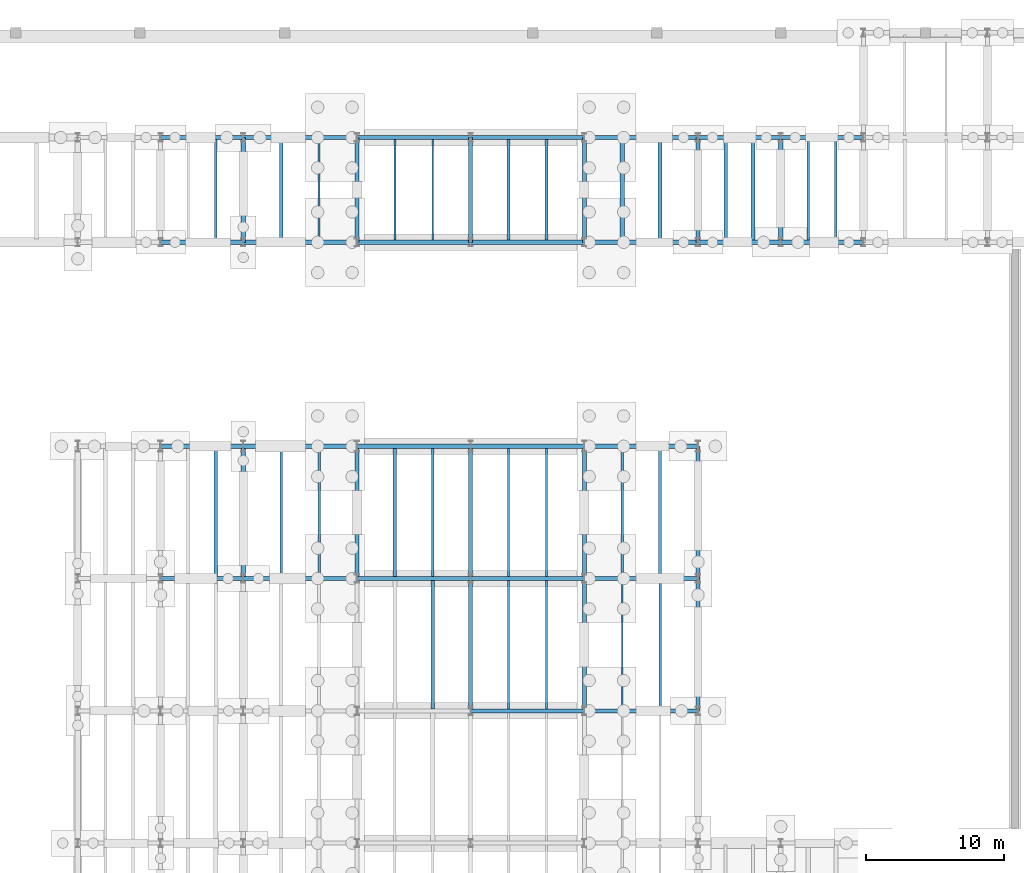
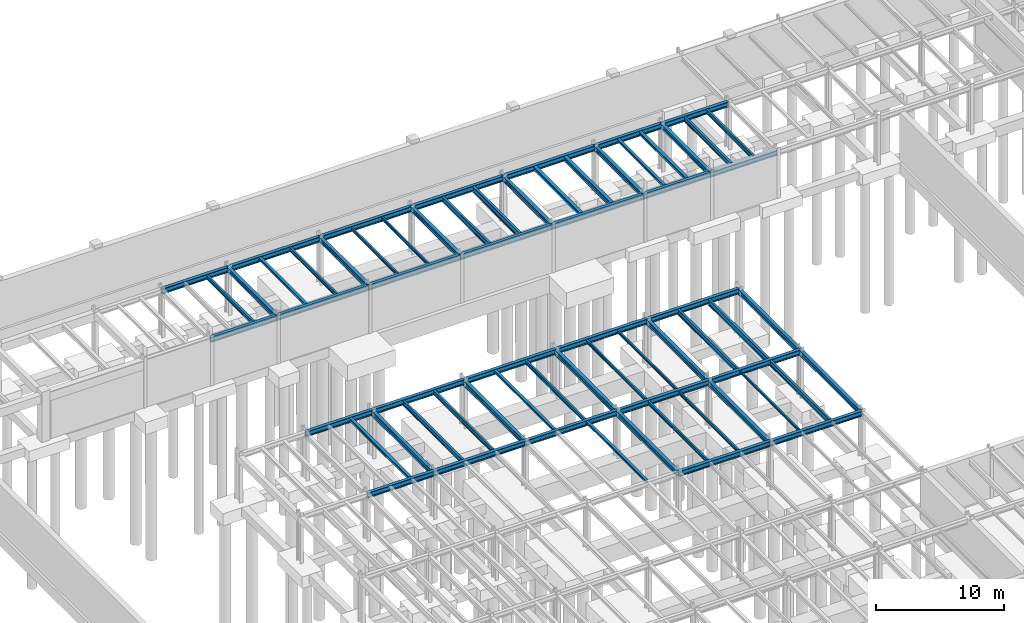
# One storey, part 34 of 59: 67 beams.
"""IFC4 building model written with IfcOpenShell, lengths in metres."""

from ifc_helpers import new_model, si_unit, direction, frame, origin, origin_2d, place, context, subcontext, project, spatial, i_section, extrude, material, material_profile, profile_set, type_object, element, save


model = new_model("IFC4")

# Units and contexts
model_context = context("Model", 3, precision=1e-05, world=origin(), true_north=direction((0.0, 1.0)))
body_context = subcontext(model_context, "Body", "Model", "MODEL_VIEW")
ifc_project = project(units=[si_unit("LENGTHUNIT", "METRE"), si_unit("AREAUNIT", "SQUARE_METRE"), si_unit("VOLUMEUNIT", "CUBIC_METRE"), si_unit("PLANEANGLEUNIT", "RADIAN"), si_unit("MASSUNIT", "GRAM", prefix="KILO")], contexts=[model_context])

# Site, building, storey
site_placement = place(None, origin())
site = spatial("IfcSite", under=ifc_project, at=site_placement, CompositionType="ELEMENT")
building_placement = place(site_placement, origin())
building = spatial("IfcBuilding", under=site, at=building_placement, Name="Montealbar Specialist Clinic", CompositionType="ELEMENT")
storey_placement = place(building_placement, frame((0.0, 0.0, -4.800048828125)))
storey = spatial("IfcBuildingStorey", under=building, at=storey_placement, Name="B01", CompositionType="ELEMENT", Elevation=-4.800048828125)

# Beams
ifc_material = material(Name="Steel S355", Category="steel")
ifc_material_profile_1 = material_profile(ifc_material, i_section(OverallWidth=0.300048828125, OverallDepth=0.449951171875, WebThickness=0.013916015625, FlangeThickness=0.02587890625, FilletRadius=0.027099609375, at=origin_2d()), Name="HEB 450", Category="steel")
ifc_profile_set_1 = profile_set([ifc_material_profile_1], Name="Steel S355")
beam_type_1 = type_object("IfcBeamType", Name="BM-GIRD-HEB450-EXT", PredefinedType="BEAM", material=ifc_profile_set_1)
for number, where, z_axis, x_axis, name in (
    (1, (66.0, 95.800048828125, 4.275146484375), (0.0, 1.0, 0.0), (-1.0, 0.0, 0.0), "Beam GY-B01-660-958-1034"),
    (2, (74.25, 95.800048828125, 4.275146484375), (0.0, 1.0, 0.0), (-1.0, 0.0, 0.0), "Beam GY-B01-742-958-1034"),
    (3, (82.5, 95.800048828125, 4.275146484375), (0.0, 1.0, 0.0), (-1.0, 0.0, 0.0), "Beam GY-B01-825-958-1034"),
    (4, (90.75, 95.800048828125, 4.275146484375), (0.0, 1.0, 0.0), (-1.0, 0.0, 0.0), "Beam GY-B01-908-958-1034"),
    (5, (99.0, 95.800048828125, 4.275146484375), (0.0, 1.0, 0.0), (-1.0, 0.0, 0.0), "Beam GY-B01-990-958-1034"),
    (6, (105.0, 95.800048828125, 4.275146484375), (0.0, 1.0, 0.0), (-1.0, 0.0, 0.0), "Beam GY-B01-1050-958-1034"),
):
    element("IfcBeam", number, at=place(storey_placement, frame(where, z_axis=z_axis, x_axis=x_axis)), inside=storey, type_object=beam_type_1, Name=name, PredefinedType="BEAM", context=body_context, shape_type="SweptSolid", body=[
        extrude(i_section(OverallWidth=0.300048828125, OverallDepth=0.449951171875, WebThickness=0.013916015625, FlangeThickness=0.02587890625, FilletRadius=0.027099609375, at=origin_2d()), origin(), (0.0, 0.0, 1.0), 7.599853515625),
    ])
ifc_material_profile_2 = material_profile(ifc_material, i_section(OverallWidth=0.300048828125, OverallDepth=0.5, WebThickness=0.014404296875, FlangeThickness=0.028076171875, FilletRadius=0.027099609375, at=origin_2d()), Name="HEB 500", Category="steel")
ifc_profile_set_2 = profile_set([ifc_material_profile_2], Name="Steel S355")
beam_type_2 = type_object("IfcBeamType", Name="BM-GIRD-HEB500", PredefinedType="BEAM", material=ifc_profile_set_2)
for number, where, z_axis, x_axis, name in (
    (7, (82.5, 61.800048828125, 4.22998046875), (1.0, 0.0, 0.0), (0.0, 1.0, 0.0), "Beam GX-B01-825-908-618"),
    (8, (90.75, 61.800048828125, 4.22998046875), (1.0, 0.0, 0.0), (0.0, 1.0, 0.0), "Beam GX-B01-908-990-618"),
):
    element("IfcBeam", number, at=place(storey_placement, frame(where, z_axis=z_axis, x_axis=x_axis)), inside=storey, type_object=beam_type_2, Name=name, PredefinedType="BEAM", context=body_context, shape_type="SweptSolid", body=[
        extrude(i_section(OverallWidth=0.300048828125, OverallDepth=0.5, WebThickness=0.014404296875, FlangeThickness=0.028076171875, FilletRadius=0.027099609375, at=origin_2d()), origin(), (0.0, 0.0, 1.0), 8.25),
    ])
beam_1_placement = place(storey_placement, frame((60.0, 71.39990234375, 4.22998046875), z_axis=(1.0, 0.0, 0.0), x_axis=(0.0, 1.0, 0.0)))
element("IfcBeam", 9, at=beam_1_placement, inside=storey, type_object=beam_type_2, Name="Beam GX-B01-600-660-714", PredefinedType="BEAM", context=body_context, shape_type="SweptSolid", body=[
    extrude(i_section(OverallWidth=0.300048828125, OverallDepth=0.5, WebThickness=0.014404296875, FlangeThickness=0.028076171875, FilletRadius=0.027099609375, at=origin_2d()), origin(), (0.0, 0.0, 1.0), 6.0),
])
for number, where, z_axis, x_axis, name in (
    (10, (66.0, 71.39990234375, 4.22998046875), (1.0, 0.0, 0.0), (0.0, 1.0, 0.0), "Beam GX-B01-660-742-714"),
    (11, (74.25, 71.39990234375, 4.22998046875), (1.0, 0.0, 0.0), (0.0, 1.0, 0.0), "Beam GX-B01-742-825-714"),
    (12, (82.5, 71.39990234375, 4.22998046875), (1.0, 0.0, 0.0), (0.0, 1.0, 0.0), "Beam GX-B01-825-908-714"),
    (13, (90.75, 71.39990234375, 4.22998046875), (1.0, 0.0, 0.0), (0.0, 1.0, 0.0), "Beam GX-B01-908-990-714"),
):
    element("IfcBeam", number, at=place(storey_placement, frame(where, z_axis=z_axis, x_axis=x_axis)), inside=storey, type_object=beam_type_2, Name=name, PredefinedType="BEAM", context=body_context, shape_type="SweptSolid", body=[
        extrude(i_section(OverallWidth=0.300048828125, OverallDepth=0.5, WebThickness=0.014404296875, FlangeThickness=0.028076171875, FilletRadius=0.027099609375, at=origin_2d()), origin(), (0.0, 0.0, 1.0), 8.25),
    ])
for number, where, z_axis, x_axis, name in (
    (14, (66.0, 71.39990234375, 4.22998046875), (0.0, 1.0, 0.0), (-1.0, 0.0, 0.0), "Beam GY-B01-660-714-810"),
    (15, (74.25, 71.39990234375, 4.22998046875), (0.0, 1.0, 0.0), (-1.0, 0.0, 0.0), "Beam GY-B01-742-714-810"),
):
    element("IfcBeam", number, at=place(storey_placement, frame(where, z_axis=z_axis, x_axis=x_axis)), inside=storey, type_object=beam_type_2, Name=name, PredefinedType="BEAM", context=body_context, shape_type="SweptSolid", body=[
        extrude(i_section(OverallWidth=0.300048828125, OverallDepth=0.5, WebThickness=0.014404296875, FlangeThickness=0.028076171875, FilletRadius=0.027099609375, at=origin_2d()), origin(), (0.0, 0.0, 1.0), 9.60009765625),
    ])
beam_2_placement = place(storey_placement, frame((82.5, 61.800048828125, 4.22998046875), z_axis=(0.0, 1.0, 0.0), x_axis=(-1.0, 0.0, 0.0)))
element("IfcBeam", 16, at=beam_2_placement, inside=storey, type_object=beam_type_2, Name="Beam GY-B01-825-618-714", PredefinedType="BEAM", context=body_context, shape_type="SweptSolid", body=[
    extrude(i_section(OverallWidth=0.300048828125, OverallDepth=0.5, WebThickness=0.014404296875, FlangeThickness=0.028076171875, FilletRadius=0.027099609375, at=origin_2d()), origin(), (0.0, 0.0, 1.0), 9.599853515625),
])
beam_3_placement = place(storey_placement, frame((82.5, 71.39990234375, 4.22998046875), z_axis=(0.0, 1.0, 0.0), x_axis=(-1.0, 0.0, 0.0)))
element("IfcBeam", 17, at=beam_3_placement, inside=storey, type_object=beam_type_2, Name="Beam GY-B01-825-714-810", PredefinedType="BEAM", context=body_context, shape_type="SweptSolid", body=[
    extrude(i_section(OverallWidth=0.300048828125, OverallDepth=0.5, WebThickness=0.014404296875, FlangeThickness=0.028076171875, FilletRadius=0.027099609375, at=origin_2d()), origin(), (0.0, 0.0, 1.0), 9.60009765625),
])
beam_4_placement = place(storey_placement, frame((90.75, 61.800048828125, 4.22998046875), z_axis=(0.0, 1.0, 0.0), x_axis=(-1.0, 0.0, 0.0)))
element("IfcBeam", 18, at=beam_4_placement, inside=storey, type_object=beam_type_2, Name="Beam GY-B01-908-618-714", PredefinedType="BEAM", context=body_context, shape_type="SweptSolid", body=[
    extrude(i_section(OverallWidth=0.300048828125, OverallDepth=0.5, WebThickness=0.014404296875, FlangeThickness=0.028076171875, FilletRadius=0.027099609375, at=origin_2d()), origin(), (0.0, 0.0, 1.0), 9.599853515625),
])
beam_5_placement = place(storey_placement, frame((90.75, 71.39990234375, 4.22998046875), z_axis=(0.0, 1.0, 0.0), x_axis=(-1.0, 0.0, 0.0)))
element("IfcBeam", 19, at=beam_5_placement, inside=storey, type_object=beam_type_2, Name="Beam GY-B01-908-714-810", PredefinedType="BEAM", context=body_context, shape_type="SweptSolid", body=[
    extrude(i_section(OverallWidth=0.300048828125, OverallDepth=0.5, WebThickness=0.014404296875, FlangeThickness=0.028076171875, FilletRadius=0.027099609375, at=origin_2d()), origin(), (0.0, 0.0, 1.0), 9.60009765625),
])
ifc_material_profile_3 = material_profile(ifc_material, i_section(OverallWidth=0.300048828125, OverallDepth=0.5, WebThickness=0.014404296875, FlangeThickness=0.028076171875, FilletRadius=0.027099609375, at=origin_2d()), Name="HEB 500", Category="steel")
ifc_profile_set_3 = profile_set([ifc_material_profile_3], Name="Steel S355")
beam_type_3 = type_object("IfcBeamType", Name="BM-GIRD-HEB500-EXT", PredefinedType="BEAM", material=ifc_profile_set_3)
beam_6_placement = place(storey_placement, frame((60.0, 81.0, 4.22998046875), z_axis=(1.0, 0.0, 0.0), x_axis=(0.0, 1.0, 0.0)))
element("IfcBeam", 20, at=beam_6_placement, inside=storey, type_object=beam_type_3, Name="Beam GX-B01-600-660-810", PredefinedType="BEAM", context=body_context, shape_type="SweptSolid", body=[
    extrude(i_section(OverallWidth=0.300048828125, OverallDepth=0.5, WebThickness=0.014404296875, FlangeThickness=0.028076171875, FilletRadius=0.027099609375, at=origin_2d()), origin(), (0.0, 0.0, 1.0), 6.0),
])
for number, where, z_axis, x_axis, name in (
    (21, (66.0, 81.0, 4.22998046875), (1.0, 0.0, 0.0), (0.0, 1.0, 0.0), "Beam GX-B01-660-742-810"),
    (22, (74.25, 81.0, 4.22998046875), (1.0, 0.0, 0.0), (0.0, 1.0, 0.0), "Beam GX-B01-742-825-810"),
    (23, (82.5, 81.0, 4.22998046875), (1.0, 0.0, 0.0), (0.0, 1.0, 0.0), "Beam GX-B01-825-908-810"),
    (24, (90.75, 81.0, 4.22998046875), (1.0, 0.0, 0.0), (0.0, 1.0, 0.0), "Beam GX-B01-908-990-810"),
):
    element("IfcBeam", number, at=place(storey_placement, frame(where, z_axis=z_axis, x_axis=x_axis)), inside=storey, type_object=beam_type_3, Name=name, PredefinedType="BEAM", context=body_context, shape_type="SweptSolid", body=[
        extrude(i_section(OverallWidth=0.300048828125, OverallDepth=0.5, WebThickness=0.014404296875, FlangeThickness=0.028076171875, FilletRadius=0.027099609375, at=origin_2d()), origin(), (0.0, 0.0, 1.0), 8.25),
    ])
beam_7_placement = place(storey_placement, frame((60.0, 95.800048828125, 4.25), z_axis=(1.0, 0.0, 0.0), x_axis=(0.0, 1.0, 0.0)))
element("IfcBeam", 25, at=beam_7_placement, inside=storey, type_object=beam_type_3, Name="Beam GX-B01-600-660-958", PredefinedType="BEAM", context=body_context, shape_type="SweptSolid", body=[
    extrude(i_section(OverallWidth=0.300048828125, OverallDepth=0.5, WebThickness=0.014404296875, FlangeThickness=0.028076171875, FilletRadius=0.027099609375, at=origin_2d()), origin(), (0.0, 0.0, 1.0), 6.0),
])
for number, where, z_axis, x_axis, name in (
    (26, (66.0, 95.800048828125, 4.25), (1.0, 0.0, 0.0), (0.0, 1.0, 0.0), "Beam GX-B01-660-742-958"),
    (27, (74.25, 95.800048828125, 4.25), (1.0, 0.0, 0.0), (0.0, 1.0, 0.0), "Beam GX-B01-742-825-958"),
    (28, (82.5, 95.800048828125, 4.25), (1.0, 0.0, 0.0), (0.0, 1.0, 0.0), "Beam GX-B01-825-908-958"),
    (29, (90.75, 95.800048828125, 4.25), (1.0, 0.0, 0.0), (0.0, 1.0, 0.0), "Beam GX-B01-908-990-958"),
):
    element("IfcBeam", number, at=place(storey_placement, frame(where, z_axis=z_axis, x_axis=x_axis)), inside=storey, type_object=beam_type_3, Name=name, PredefinedType="BEAM", context=body_context, shape_type="SweptSolid", body=[
        extrude(i_section(OverallWidth=0.300048828125, OverallDepth=0.5, WebThickness=0.014404296875, FlangeThickness=0.028076171875, FilletRadius=0.027099609375, at=origin_2d()), origin(), (0.0, 0.0, 1.0), 8.25),
    ])
for number, where, z_axis, x_axis, name in (
    (30, (99.0, 95.800048828125, 4.25), (1.0, 0.0, 0.0), (0.0, 1.0, 0.0), "Beam GX-B01-990-1050-958"),
    (31, (105.0, 95.800048828125, 4.22998046875), (1.0, 0.0, 0.0), (0.0, 1.0, 0.0), "Beam GX-B01-1050-1110-958"),
    (32, (60.0, 103.39990234375, 4.25), (1.0, 0.0, 0.0), (0.0, 1.0, 0.0), "Beam GX-B01-600-660-1034"),
):
    element("IfcBeam", number, at=place(storey_placement, frame(where, z_axis=z_axis, x_axis=x_axis)), inside=storey, type_object=beam_type_3, Name=name, PredefinedType="BEAM", context=body_context, shape_type="SweptSolid", body=[
        extrude(i_section(OverallWidth=0.300048828125, OverallDepth=0.5, WebThickness=0.014404296875, FlangeThickness=0.028076171875, FilletRadius=0.027099609375, at=origin_2d()), origin(), (0.0, 0.0, 1.0), 6.0),
    ])
for number, where, z_axis, x_axis, name in (
    (33, (66.0, 103.39990234375, 4.25), (1.0, 0.0, 0.0), (0.0, 1.0, 0.0), "Beam GX-B01-660-742-1034"),
    (34, (74.25, 103.39990234375, 4.25), (1.0, 0.0, 0.0), (0.0, 1.0, 0.0), "Beam GX-B01-742-825-1034"),
    (35, (82.5, 103.39990234375, 4.25), (1.0, 0.0, 0.0), (0.0, 1.0, 0.0), "Beam GX-B01-825-908-1034"),
    (36, (90.75, 103.39990234375, 4.25), (1.0, 0.0, 0.0), (0.0, 1.0, 0.0), "Beam GX-B01-908-990-1034"),
):
    element("IfcBeam", number, at=place(storey_placement, frame(where, z_axis=z_axis, x_axis=x_axis)), inside=storey, type_object=beam_type_3, Name=name, PredefinedType="BEAM", context=body_context, shape_type="SweptSolid", body=[
        extrude(i_section(OverallWidth=0.300048828125, OverallDepth=0.5, WebThickness=0.014404296875, FlangeThickness=0.028076171875, FilletRadius=0.027099609375, at=origin_2d()), origin(), (0.0, 0.0, 1.0), 8.25),
    ])
for number, where, z_axis, x_axis, name in (
    (37, (99.0, 103.39990234375, 4.25), (1.0, 0.0, 0.0), (0.0, 1.0, 0.0), "Beam GX-B01-990-1050-1034"),
    (38, (105.0, 103.39990234375, 4.22998046875), (1.0, 0.0, 0.0), (0.0, 1.0, 0.0), "Beam GX-B01-1050-1110-1034"),
):
    element("IfcBeam", number, at=place(storey_placement, frame(where, z_axis=z_axis, x_axis=x_axis)), inside=storey, type_object=beam_type_3, Name=name, PredefinedType="BEAM", context=body_context, shape_type="SweptSolid", body=[
        extrude(i_section(OverallWidth=0.300048828125, OverallDepth=0.5, WebThickness=0.014404296875, FlangeThickness=0.028076171875, FilletRadius=0.027099609375, at=origin_2d()), origin(), (0.0, 0.0, 1.0), 6.0),
    ])
beam_8_placement = place(storey_placement, frame((99.0, 61.800048828125, 4.22998046875), z_axis=(0.0, 1.0, 0.0), x_axis=(-1.0, 0.0, 0.0)))
element("IfcBeam", 39, at=beam_8_placement, inside=storey, type_object=beam_type_3, Name="Beam GY-B01-990-618-714", PredefinedType="BEAM", context=body_context, shape_type="SweptSolid", body=[
    extrude(i_section(OverallWidth=0.300048828125, OverallDepth=0.5, WebThickness=0.014404296875, FlangeThickness=0.028076171875, FilletRadius=0.027099609375, at=origin_2d()), origin(), (0.0, 0.0, 1.0), 9.599853515625),
])
beam_9_placement = place(storey_placement, frame((99.0, 71.39990234375, 4.22998046875), z_axis=(0.0, 1.0, 0.0), x_axis=(-1.0, 0.0, 0.0)))
element("IfcBeam", 40, at=beam_9_placement, inside=storey, type_object=beam_type_3, Name="Beam GY-B01-990-714-810", PredefinedType="BEAM", context=body_context, shape_type="SweptSolid", body=[
    extrude(i_section(OverallWidth=0.300048828125, OverallDepth=0.5, WebThickness=0.014404296875, FlangeThickness=0.028076171875, FilletRadius=0.027099609375, at=origin_2d()), origin(), (0.0, 0.0, 1.0), 9.60009765625),
])
ifc_material_profile_4 = material_profile(ifc_material, i_section(OverallWidth=0.300048828125, OverallDepth=0.35009765625, WebThickness=0.010009765625, FlangeThickness=0.017578125, FilletRadius=0.027099609375, at=origin_2d()), Name="HEA 360", Category="steel")
ifc_profile_set_4 = profile_set([ifc_material_profile_4], Name="Steel S355")
beam_type_4 = type_object("IfcBeamType", Name="BM-JST-HEA360", PredefinedType="JOIST", material=ifc_profile_set_4)
beam_10_placement = place(storey_placement, frame((93.5, 95.949951171875, 4.324951171875), z_axis=(0.0, 1.0, 0.0), x_axis=(-1.0, 0.0, 0.0)))
element("IfcBeam", 41, at=beam_10_placement, inside=storey, type_object=beam_type_4, Name="Beam JST-B01-935-960-1032", PredefinedType="JOIST", context=body_context, shape_type="SweptSolid", body=[
    extrude(i_section(OverallWidth=0.300048828125, OverallDepth=0.35009765625, WebThickness=0.010009765625, FlangeThickness=0.017578125, FilletRadius=0.027099609375, at=origin_2d()), origin(), (0.0, 0.0, 1.0), 7.300048828125),
])
ifc_material_profile_5 = material_profile(ifc_material, i_section(OverallWidth=0.300048828125, OverallDepth=0.43994140625, WebThickness=0.011474609375, FlangeThickness=0.02099609375, FilletRadius=0.027099609375, at=origin_2d()), Name="HEA 450", Category="steel")
ifc_profile_set_5 = profile_set([ifc_material_profile_5], Name="Steel S355")
beam_type_5 = type_object("IfcBeamType", Name="BM-JST-HEA450", PredefinedType="JOIST", material=ifc_profile_set_5)
beam_11_placement = place(storey_placement, frame((96.25, 95.949951171875, 4.280029296875), z_axis=(0.0, 1.0, 0.0), x_axis=(-1.0, 0.0, 0.0)))
element("IfcBeam", 42, at=beam_11_placement, inside=storey, type_object=beam_type_5, Name="Beam JST-B01-962-960-1032", PredefinedType="JOIST", context=body_context, shape_type="SweptSolid", body=[
    extrude(i_section(OverallWidth=0.300048828125, OverallDepth=0.43994140625, WebThickness=0.011474609375, FlangeThickness=0.02099609375, FilletRadius=0.027099609375, at=origin_2d()), origin(), (0.0, 0.0, 1.0), 7.300048828125),
])
ifc_material_profile_6 = material_profile(ifc_material, i_section(OverallWidth=0.239990234375, OverallDepth=0.239990234375, WebThickness=0.010009765625, FlangeThickness=0.01708984375, FilletRadius=0.02099609375, at=origin_2d()), Name="HEB 240", Category="steel")
ifc_profile_set_6 = profile_set([ifc_material_profile_6], Name="Steel S355")
beam_type_6 = type_object("IfcBeamType", Name="BM-JST-HEB240", PredefinedType="JOIST", material=ifc_profile_set_6)
beam_12_placement = place(storey_placement, frame((101.0, 95.949951171875, 4.380126953125), z_axis=(0.0, 1.0, 0.0), x_axis=(-1.0, 0.0, 0.0)))
element("IfcBeam", 43, at=beam_12_placement, inside=storey, type_object=beam_type_6, Name="Beam JST-B01-1010-960-1032", PredefinedType="JOIST", context=body_context, shape_type="SweptSolid", body=[
    extrude(i_section(OverallWidth=0.239990234375, OverallDepth=0.239990234375, WebThickness=0.010009765625, FlangeThickness=0.01708984375, FilletRadius=0.02099609375, at=origin_2d()), origin(), (0.0, 0.0, 1.0), 7.300048828125),
])
ifc_material_profile_7 = material_profile(ifc_material, i_section(OverallWidth=0.280029296875, OverallDepth=0.280029296875, WebThickness=0.010498046875, FlangeThickness=0.01806640625, FilletRadius=0.02392578125, at=origin_2d()), Name="HEB 280", Category="steel")
ifc_profile_set_7 = profile_set([ifc_material_profile_7], Name="Steel S355")
beam_type_7 = type_object("IfcBeamType", Name="BM-JST-HEB280", PredefinedType="JOIST", material=ifc_profile_set_7)
beam_13_placement = place(storey_placement, frame((64.0, 71.550048828125, 4.340087890625), z_axis=(0.0, 1.0, 0.0), x_axis=(-1.0, 0.0, 0.0)))
element("IfcBeam", 44, at=beam_13_placement, inside=storey, type_object=beam_type_7, Name="Beam JST-B01-640-716-808", PredefinedType="JOIST", context=body_context, shape_type="SweptSolid", body=[
    extrude(i_section(OverallWidth=0.280029296875, OverallDepth=0.280029296875, WebThickness=0.010498046875, FlangeThickness=0.01806640625, FilletRadius=0.02392578125, at=origin_2d()), origin(), (0.0, 0.0, 1.0), 9.300048828125),
])
beam_14_placement = place(storey_placement, frame((103.0, 95.949951171875, 4.360107421875), z_axis=(0.0, 1.0, 0.0), x_axis=(-1.0, 0.0, 0.0)))
element("IfcBeam", 45, at=beam_14_placement, inside=storey, type_object=beam_type_7, Name="Beam JST-B01-1030-960-1032", PredefinedType="JOIST", context=body_context, shape_type="SweptSolid", body=[
    extrude(i_section(OverallWidth=0.280029296875, OverallDepth=0.280029296875, WebThickness=0.010498046875, FlangeThickness=0.01806640625, FilletRadius=0.02392578125, at=origin_2d()), origin(), (0.0, 0.0, 1.0), 7.300048828125),
])
ifc_material_profile_8 = material_profile(ifc_material, i_section(OverallWidth=0.1201171875, OverallDepth=0.239990234375, WebThickness=0.006103515625, FlangeThickness=0.009765625, FilletRadius=0.014892578125, at=origin_2d()), Name="IPE 240", Category="steel")
ifc_profile_set_8 = profile_set([ifc_material_profile_8], Name="Steel S355")
beam_type_8 = type_object("IfcBeamType", Name="BM-JST-IPE240", PredefinedType="JOIST", material=ifc_profile_set_8)
beam_15_placement = place(storey_placement, frame((93.5, 61.949951171875, 4.360107421875), z_axis=(0.0, 1.0, 0.0), x_axis=(-1.0, 0.0, 0.0)))
element("IfcBeam", 46, at=beam_15_placement, inside=storey, type_object=beam_type_8, Name="Beam JST-B01-935-620-712", PredefinedType="JOIST", context=body_context, shape_type="SweptSolid", body=[
    extrude(i_section(OverallWidth=0.1201171875, OverallDepth=0.239990234375, WebThickness=0.006103515625, FlangeThickness=0.009765625, FilletRadius=0.014892578125, at=origin_2d()), origin(), (0.0, 0.0, 1.0), 9.300048828125),
])
ifc_material_profile_9 = material_profile(ifc_material, i_section(OverallWidth=0.135009765625, OverallDepth=0.27001953125, WebThickness=0.006591796875, FlangeThickness=0.01025390625, FilletRadius=0.014892578125, at=origin_2d()), Name="IPE 270", Category="steel")
ifc_profile_set_9 = profile_set([ifc_material_profile_9], Name="Steel S355")
beam_type_9 = type_object("IfcBeamType", Name="BM-JST-IPE270", PredefinedType="JOIST", material=ifc_profile_set_9)
beam_16_placement = place(storey_placement, frame((79.75, 95.949951171875, 4.364990234375), z_axis=(0.0, 1.0, 0.0), x_axis=(-1.0, 0.0, 0.0)))
element("IfcBeam", 47, at=beam_16_placement, inside=storey, type_object=beam_type_9, Name="Beam JST-B01-798-960-1032", PredefinedType="JOIST", context=body_context, shape_type="SweptSolid", body=[
    extrude(i_section(OverallWidth=0.135009765625, OverallDepth=0.27001953125, WebThickness=0.006591796875, FlangeThickness=0.01025390625, FilletRadius=0.014892578125, at=origin_2d()), origin(), (0.0, 0.0, 1.0), 7.300048828125),
])
beam_17_placement = place(storey_placement, frame((88.0, 71.550048828125, 4.344970703125), z_axis=(0.0, 1.0, 0.0), x_axis=(-1.0, 0.0, 0.0)))
element("IfcBeam", 48, at=beam_17_placement, inside=storey, type_object=beam_type_9, Name="Beam JST-B01-880-716-808", PredefinedType="JOIST", context=body_context, shape_type="SweptSolid", body=[
    extrude(i_section(OverallWidth=0.135009765625, OverallDepth=0.27001953125, WebThickness=0.006591796875, FlangeThickness=0.01025390625, FilletRadius=0.014892578125, at=origin_2d()), origin(), (0.0, 0.0, 1.0), 9.300048828125),
])
ifc_material_profile_10 = material_profile(ifc_material, i_section(OverallWidth=0.14990234375, OverallDepth=0.300048828125, WebThickness=0.007080078125, FlangeThickness=0.0107421875, FilletRadius=0.014892578125, at=origin_2d()), Name="IPE 300", Category="steel")
ifc_profile_set_10 = profile_set([ifc_material_profile_10], Name="Steel S355")
beam_type_10 = type_object("IfcBeamType", Name="BM-JST-IPE300", PredefinedType="JOIST", material=ifc_profile_set_10)
beam_18_placement = place(storey_placement, frame((77.0, 95.949951171875, 4.35009765625), z_axis=(0.0, 1.0, 0.0), x_axis=(-1.0, 0.0, 0.0)))
element("IfcBeam", 49, at=beam_18_placement, inside=storey, type_object=beam_type_10, Name="Beam JST-B01-770-960-1032", PredefinedType="JOIST", context=body_context, shape_type="SweptSolid", body=[
    extrude(i_section(OverallWidth=0.14990234375, OverallDepth=0.300048828125, WebThickness=0.007080078125, FlangeThickness=0.0107421875, FilletRadius=0.014892578125, at=origin_2d()), origin(), (0.0, 0.0, 1.0), 7.300048828125),
])
for number, where, z_axis, x_axis, name in (
    (50, (88.0, 61.949951171875, 4.330078125), (0.0, 1.0, 0.0), (-1.0, 0.0, 0.0), "Beam JST-B01-880-620-712"),
    (51, (85.25, 71.550048828125, 4.330078125), (0.0, 1.0, 0.0), (-1.0, 0.0, 0.0), "Beam JST-B01-852-716-808"),
):
    element("IfcBeam", number, at=place(storey_placement, frame(where, z_axis=z_axis, x_axis=x_axis)), inside=storey, type_object=beam_type_10, Name=name, PredefinedType="JOIST", context=body_context, shape_type="SweptSolid", body=[
        extrude(i_section(OverallWidth=0.14990234375, OverallDepth=0.300048828125, WebThickness=0.007080078125, FlangeThickness=0.0107421875, FilletRadius=0.014892578125, at=origin_2d()), origin(), (0.0, 0.0, 1.0), 9.300048828125),
    ])
ifc_material_profile_11 = material_profile(ifc_material, i_section(OverallWidth=0.159912109375, OverallDepth=0.330078125, WebThickness=0.007568359375, FlangeThickness=0.011474609375, FilletRadius=0.01806640625, at=origin_2d()), Name="IPE 330", Category="steel")
ifc_profile_set_11 = profile_set([ifc_material_profile_11], Name="Steel S355")
beam_type_11 = type_object("IfcBeamType", Name="BM-JST-IPE330", PredefinedType="JOIST", material=ifc_profile_set_11)
beam_19_placement = place(storey_placement, frame((85.25, 61.949951171875, 4.31494140625), z_axis=(0.0, 1.0, 0.0), x_axis=(-1.0, 0.0, 0.0)))
element("IfcBeam", 52, at=beam_19_placement, inside=storey, type_object=beam_type_11, Name="Beam JST-B01-852-620-712", PredefinedType="JOIST", context=body_context, shape_type="SweptSolid", body=[
    extrude(i_section(OverallWidth=0.159912109375, OverallDepth=0.330078125, WebThickness=0.007568359375, FlangeThickness=0.011474609375, FilletRadius=0.01806640625, at=origin_2d()), origin(), (0.0, 0.0, 1.0), 9.300048828125),
])
ifc_material_profile_12 = material_profile(ifc_material, i_section(OverallWidth=0.169921875, OverallDepth=0.360107421875, WebThickness=0.008056640625, FlangeThickness=0.0126953125, FilletRadius=0.01806640625, at=origin_2d()), Name="IPE 360", Category="steel")
ifc_profile_set_12 = profile_set([ifc_material_profile_12], Name="Steel S355")
beam_type_12 = type_object("IfcBeamType", Name="BM-JST-IPE360", PredefinedType="JOIST", material=ifc_profile_set_12)
beam_20_placement = place(storey_placement, frame((71.5, 95.949951171875, 4.320068359375), z_axis=(0.0, 1.0, 0.0), x_axis=(-1.0, 0.0, 0.0)))
element("IfcBeam", 53, at=beam_20_placement, inside=storey, type_object=beam_type_12, Name="Beam JST-B01-715-960-1032", PredefinedType="JOIST", context=body_context, shape_type="SweptSolid", body=[
    extrude(i_section(OverallWidth=0.169921875, OverallDepth=0.360107421875, WebThickness=0.008056640625, FlangeThickness=0.0126953125, FilletRadius=0.01806640625, at=origin_2d()), origin(), (0.0, 0.0, 1.0), 7.300048828125),
])
beam_21_placement = place(storey_placement, frame((79.75, 71.550048828125, 4.300048828125), z_axis=(0.0, 1.0, 0.0), x_axis=(-1.0, 0.0, 0.0)))
element("IfcBeam", 54, at=beam_21_placement, inside=storey, type_object=beam_type_12, Name="Beam JST-B01-798-716-808", PredefinedType="JOIST", context=body_context, shape_type="SweptSolid", body=[
    extrude(i_section(OverallWidth=0.169921875, OverallDepth=0.360107421875, WebThickness=0.008056640625, FlangeThickness=0.0126953125, FilletRadius=0.01806640625, at=origin_2d()), origin(), (0.0, 0.0, 1.0), 9.300048828125),
])
ifc_material_profile_13 = material_profile(ifc_material, i_section(OverallWidth=0.199951171875, OverallDepth=0.5, WebThickness=0.01025390625, FlangeThickness=0.01611328125, FilletRadius=0.02099609375, at=origin_2d()), Name="IPE 500", Category="steel")
ifc_profile_set_13 = profile_set([ifc_material_profile_13], Name="Steel S355")
beam_type_13 = type_object("IfcBeamType", Name="BM-JST-IPE500", PredefinedType="JOIST", material=ifc_profile_set_13)
beam_22_placement = place(storey_placement, frame((85.25, 95.949951171875, 4.25), z_axis=(0.0, 1.0, 0.0), x_axis=(-1.0, 0.0, 0.0)))
element("IfcBeam", 55, at=beam_22_placement, inside=storey, type_object=beam_type_13, Name="Beam JST-B01-852-960-1032", PredefinedType="JOIST", context=body_context, shape_type="SweptSolid", body=[
    extrude(i_section(OverallWidth=0.199951171875, OverallDepth=0.5, WebThickness=0.01025390625, FlangeThickness=0.01611328125, FilletRadius=0.02099609375, at=origin_2d()), origin(), (0.0, 0.0, 1.0), 7.300048828125),
])
for number, where, z_axis, x_axis, name in (
    (56, (96.25, 61.949951171875, 4.22998046875), (0.0, 1.0, 0.0), (-1.0, 0.0, 0.0), "Beam JST-B01-962-620-712"),
    (57, (93.5, 71.550048828125, 4.22998046875), (0.0, 1.0, 0.0), (-1.0, 0.0, 0.0), "Beam JST-B01-935-716-808"),
):
    element("IfcBeam", number, at=place(storey_placement, frame(where, z_axis=z_axis, x_axis=x_axis)), inside=storey, type_object=beam_type_13, Name=name, PredefinedType="JOIST", context=body_context, shape_type="SweptSolid", body=[
        extrude(i_section(OverallWidth=0.199951171875, OverallDepth=0.5, WebThickness=0.01025390625, FlangeThickness=0.01611328125, FilletRadius=0.02099609375, at=origin_2d()), origin(), (0.0, 0.0, 1.0), 9.300048828125),
    ])
ifc_material_profile_14 = material_profile(ifc_material, i_section(OverallWidth=0.2099609375, OverallDepth=0.550048828125, WebThickness=0.010986328125, FlangeThickness=0.01708984375, FilletRadius=0.02392578125, at=origin_2d()), Name="IPE 550", Category="steel")
ifc_profile_set_14 = profile_set([ifc_material_profile_14], Name="Steel S355")
beam_type_14 = type_object("IfcBeamType", Name="BM-JST-IPE550", PredefinedType="JOIST", material=ifc_profile_set_14)
beam_23_placement = place(storey_placement, frame((88.0, 95.949951171875, 4.22509765625), z_axis=(0.0, 1.0, 0.0), x_axis=(-1.0, 0.0, 0.0)))
element("IfcBeam", 58, at=beam_23_placement, inside=storey, type_object=beam_type_14, Name="Beam JST-B01-880-960-1032", PredefinedType="JOIST", context=body_context, shape_type="SweptSolid", body=[
    extrude(i_section(OverallWidth=0.2099609375, OverallDepth=0.550048828125, WebThickness=0.010986328125, FlangeThickness=0.01708984375, FilletRadius=0.02392578125, at=origin_2d()), origin(), (0.0, 0.0, 1.0), 7.300048828125),
])
beam_24_placement = place(storey_placement, frame((96.25, 71.550048828125, 4.205078125), z_axis=(0.0, 1.0, 0.0), x_axis=(-1.0, 0.0, 0.0)))
element("IfcBeam", 59, at=beam_24_placement, inside=storey, type_object=beam_type_14, Name="Beam JST-B01-962-716-808", PredefinedType="JOIST", context=body_context, shape_type="SweptSolid", body=[
    extrude(i_section(OverallWidth=0.2099609375, OverallDepth=0.550048828125, WebThickness=0.010986328125, FlangeThickness=0.01708984375, FilletRadius=0.02392578125, at=origin_2d()), origin(), (0.0, 0.0, 1.0), 9.300048828125),
])
ifc_material_profile_15 = material_profile(ifc_material, i_section(OverallWidth=0.179931640625, OverallDepth=0.39990234375, WebThickness=0.008544921875, FlangeThickness=0.013427734375, FilletRadius=0.02099609375, at=origin_2d()), Name="IPE 400", Category="steel")
ifc_profile_set_15 = profile_set([ifc_material_profile_15], Name="Steel S355")
beam_type_15 = type_object("IfcBeamType", Name="BM-SEC-IPE400", PredefinedType="BEAM", material=ifc_profile_set_15)
beam_25_placement = place(storey_placement, frame((64.0, 95.949951171875, 4.300048828125), z_axis=(0.0, 1.0, 0.0), x_axis=(-1.0, 0.0, 0.0)))
element("IfcBeam", 60, at=beam_25_placement, inside=storey, type_object=beam_type_15, Name="Beam JST-B01-640-960-1032", PredefinedType="BEAM", context=body_context, shape_type="SweptSolid", body=[
    extrude(i_section(OverallWidth=0.179931640625, OverallDepth=0.39990234375, WebThickness=0.008544921875, FlangeThickness=0.013427734375, FilletRadius=0.02099609375, at=origin_2d()), origin(), (0.0, 0.0, 1.0), 7.300048828125),
])
beam_26_placement = place(storey_placement, frame((71.5, 71.550048828125, 4.280029296875), z_axis=(0.0, 1.0, 0.0), x_axis=(-1.0, 0.0, 0.0)))
element("IfcBeam", 61, at=beam_26_placement, inside=storey, type_object=beam_type_15, Name="Beam JST-B01-715-716-808", PredefinedType="BEAM", context=body_context, shape_type="SweptSolid", body=[
    extrude(i_section(OverallWidth=0.179931640625, OverallDepth=0.39990234375, WebThickness=0.008544921875, FlangeThickness=0.013427734375, FilletRadius=0.02099609375, at=origin_2d()), origin(), (0.0, 0.0, 1.0), 9.300048828125),
])
beam_27_placement = place(storey_placement, frame((109.0, 95.949951171875, 4.300048828125), z_axis=(0.0, 1.0, 0.0), x_axis=(-1.0, 0.0, 0.0)))
element("IfcBeam", 62, at=beam_27_placement, inside=storey, type_object=beam_type_15, Name="Beam JST-B01-1090-960-1032", PredefinedType="BEAM", context=body_context, shape_type="SweptSolid", body=[
    extrude(i_section(OverallWidth=0.179931640625, OverallDepth=0.39990234375, WebThickness=0.008544921875, FlangeThickness=0.013427734375, FilletRadius=0.02099609375, at=origin_2d()), origin(), (0.0, 0.0, 1.0), 7.300048828125),
])
ifc_material_profile_16 = material_profile(ifc_material, i_section(OverallWidth=0.18994140625, OverallDepth=0.449951171875, WebThickness=0.009521484375, FlangeThickness=0.0146484375, FilletRadius=0.02099609375, at=origin_2d()), Name="IPE 450", Category="steel")
ifc_profile_set_16 = profile_set([ifc_material_profile_16], Name="Steel S355")
beam_type_16 = type_object("IfcBeamType", Name="BM-SEC-IPE450", PredefinedType="BEAM", material=ifc_profile_set_16)
beam_28_placement = place(storey_placement, frame((68.75, 71.550048828125, 4.255126953125), z_axis=(0.0, 1.0, 0.0), x_axis=(-1.0, 0.0, 0.0)))
element("IfcBeam", 63, at=beam_28_placement, inside=storey, type_object=beam_type_16, Name="Beam JST-B01-688-716-808", PredefinedType="BEAM", context=body_context, shape_type="SweptSolid", body=[
    extrude(i_section(OverallWidth=0.18994140625, OverallDepth=0.449951171875, WebThickness=0.009521484375, FlangeThickness=0.0146484375, FilletRadius=0.02099609375, at=origin_2d()), origin(), (0.0, 0.0, 1.0), 9.300048828125),
])
beam_29_placement = place(storey_placement, frame((107.0, 95.949951171875, 4.275146484375), z_axis=(0.0, 1.0, 0.0), x_axis=(-1.0, 0.0, 0.0)))
element("IfcBeam", 64, at=beam_29_placement, inside=storey, type_object=beam_type_16, Name="Beam JST-B01-1070-960-1032", PredefinedType="BEAM", context=body_context, shape_type="SweptSolid", body=[
    extrude(i_section(OverallWidth=0.18994140625, OverallDepth=0.449951171875, WebThickness=0.009521484375, FlangeThickness=0.0146484375, FilletRadius=0.02099609375, at=origin_2d()), origin(), (0.0, 0.0, 1.0), 7.300048828125),
])
ifc_material_profile_17 = material_profile(ifc_material, i_section(OverallWidth=0.239990234375, OverallDepth=0.22998046875, WebThickness=0.007568359375, FlangeThickness=0.011962890625, FilletRadius=0.02099609375, at=origin_2d()), Name="HEA 240", Category="steel")
ifc_profile_set_17 = profile_set([ifc_material_profile_17], Name="Steel S355")
beam_type_17 = type_object("IfcBeamType", Name="BM-SPAND-HEA240", PredefinedType="SPANDREL", material=ifc_profile_set_17)
beam_30_placement = place(storey_placement, frame((68.75, 95.949951171875, 4.385009765625), z_axis=(0.0, 1.0, 0.0), x_axis=(-1.0, 0.0, 0.0)))
element("IfcBeam", 65, at=beam_30_placement, inside=storey, type_object=beam_type_17, Name="Beam JST-B01-688-960-1032", PredefinedType="SPANDREL", context=body_context, shape_type="SweptSolid", body=[
    extrude(i_section(OverallWidth=0.239990234375, OverallDepth=0.22998046875, WebThickness=0.007568359375, FlangeThickness=0.011962890625, FilletRadius=0.02099609375, at=origin_2d()), origin(), (0.0, 0.0, 1.0), 7.300048828125),
])
for number, where, z_axis, x_axis, name in (
    (66, (79.75, 61.949951171875, 4.364990234375), (0.0, 1.0, 0.0), (-1.0, 0.0, 0.0), "Beam JST-B01-798-620-712"),
    (67, (77.0, 71.550048828125, 4.364990234375), (0.0, 1.0, 0.0), (-1.0, 0.0, 0.0), "Beam JST-B01-770-716-808"),
):
    element("IfcBeam", number, at=place(storey_placement, frame(where, z_axis=z_axis, x_axis=x_axis)), inside=storey, type_object=beam_type_17, Name=name, PredefinedType="SPANDREL", context=body_context, shape_type="SweptSolid", body=[
        extrude(i_section(OverallWidth=0.239990234375, OverallDepth=0.22998046875, WebThickness=0.007568359375, FlangeThickness=0.011962890625, FilletRadius=0.02099609375, at=origin_2d()), origin(), (0.0, 0.0, 1.0), 9.300048828125),
    ])

save(model, "model.ifc")
